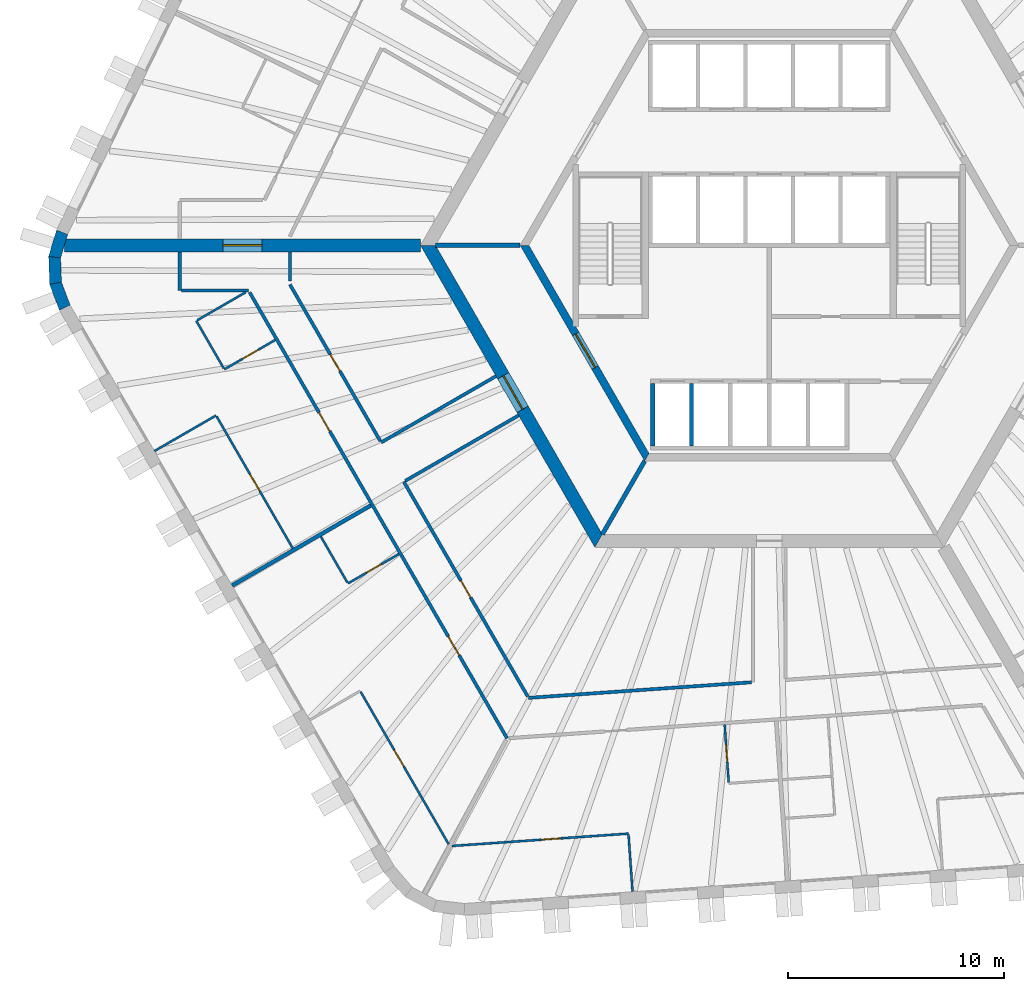
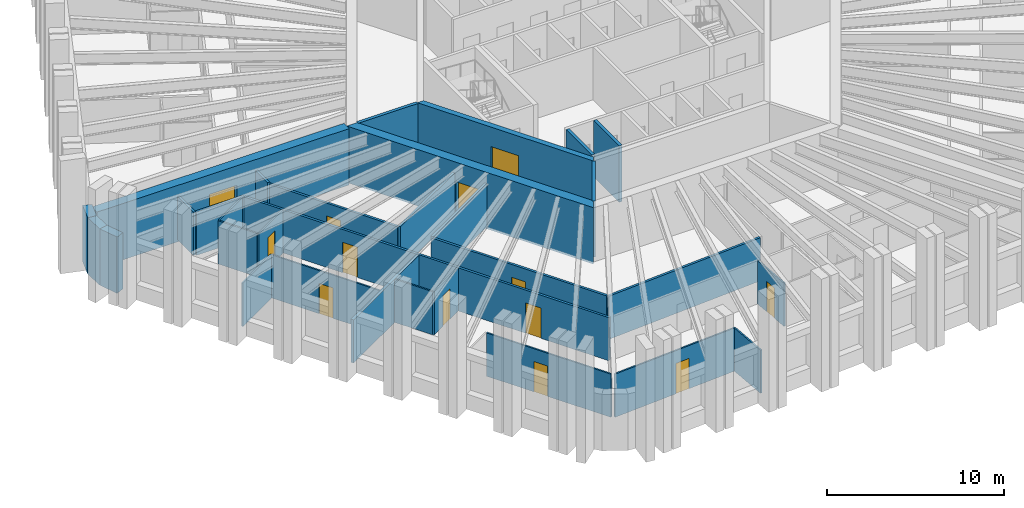
# One storey, part 3 of 12: 31 walls, 13 doors, 13 openings.
"""IFC4 building model written with IfcOpenShell, lengths in metres."""

from ifc_helpers import new_model, si_unit, direction, frame, frame_2d, origin, place, context, subcontext, project, spatial, polyline, rectangle, outline, extrude, material, layer, layer_set, type_object, element, fill, save


model = new_model("IFC4")

# Units and contexts
model_context = context("Model", 3, precision=1e-05, world=origin(), true_north=direction((0.0, 1.0)))
body_context = subcontext(model_context, "Body", "Model", "MODEL_VIEW")
ifc_project = project(units=[si_unit("LENGTHUNIT", "METRE"), si_unit("AREAUNIT", "SQUARE_METRE"), si_unit("VOLUMEUNIT", "CUBIC_METRE"), si_unit("PLANEANGLEUNIT", "RADIAN"), si_unit("MASSUNIT", "GRAM", prefix="KILO")], contexts=[model_context])

# Site, building, storey
site_placement = place(None, origin())
site = spatial("IfcSite", under=ifc_project, at=site_placement, CompositionType="ELEMENT")
building_placement = place(site_placement, origin())
building = spatial("IfcBuilding", under=site, at=building_placement, Name="Tarnside Tower", CompositionType="ELEMENT")
storey_placement = place(building_placement, frame((0.0, 0.0, 60.89990234375)))
storey = spatial("IfcBuildingStorey", under=building, at=storey_placement, Name="L12", CompositionType="ELEMENT", Elevation=60.89990234375)

# Wall, opening, door
ifc_material_1 = material(Name="Gypsum board partition on steel studs", Category="steel")
ifc_layer_1 = layer(ifc_material_1, 0.10009765625)
ifc_layer_set_1 = layer_set([ifc_layer_1], Name="Bathroom wall 100")
wall_type_1 = type_object("IfcWallType", Name="Bathroom wall 100", PredefinedType="PARTITIONING", material=ifc_layer_set_1)
wall_1_placement = place(storey_placement, frame((-22.898193359375, -4.38916015625, 0.0), z_axis=(0.0, 0.0, 1.0), x_axis=(-0.866012511928, -0.500022328685, 0.0)))
wall_1 = element("IfcWall", 1, at=wall_1_placement, inside=storey, type_object=wall_type_1, Name="Bathroom wall 03097", PredefinedType="PARTITIONING", context=body_context, shape_type="SweptSolid", body=[
    extrude(rectangle(XDim=2.72509765625, YDim=0.10009765625, at=frame_2d((1.362548828125, 0.0))), origin(), (0.0, 0.0, 1.0), 2.98779296875),
])
opening_1_placement = place(wall_1_placement, frame((0.925048828125, 0.0, 0.0)))
opening_1 = element("IfcOpeningElement", 2, at=opening_1_placement, cuts=wall_1, Name="Opening D-B1", PredefinedType="OPENING", context=body_context, shape_type="SweptSolid", body=[
    extrude(rectangle(XDim=0.800048828125, YDim=2.10009765625, at=frame_2d((0.39990234375, 1.050048828125))), frame((0.0, 0.06005859375, 0.0), z_axis=(0.0, -1.0, 0.0), x_axis=(1.0, 0.0, 0.0)), (0.0, 0.0, 1.0), 0.1201171875),
])
ifc_material_2 = material(Name="Timber door leaf", Category="wood")
door_type_1 = type_object("IfcDoorType", Name="Bathroom door 800", OperationType="NOTDEFINED", PredefinedType="DOOR", material=ifc_material_2)
door_1_placement = place(opening_1_placement, origin())
door_1 = element("IfcDoor", 3, at=door_1_placement, inside=storey, type_object=door_type_1, Name="Bathroom door 03014", OperationType="SINGLE_SWING_RIGHT", OverallHeight=2.10009765625, OverallWidth=0.800048828125, PredefinedType="DOOR", context=body_context, shape_type="SweptSolid", body=[
    extrude(rectangle(XDim=0.800048828125, YDim=2.10009765625, at=frame_2d((0.39990234375, 1.050048828125))), frame((0.0, 0.02490234375, 0.0), z_axis=(0.0, -1.0, 0.0), x_axis=(1.0, 0.0, 0.0)), (0.0, 0.0, 1.0), 0.050048828125),
])
fill(opening_1, door_1)

# Walls
wall_2_placement = place(storey_placement, frame((-25.283203125, -5.708251953125, 0.0), z_axis=(0.0, 0.0, 1.0), x_axis=(-0.499990435942, 0.866030925526, 0.0)))
element("IfcWall", 4, at=wall_2_placement, inside=storey, type_object=wall_type_1, Name="Bathroom wall 03098", PredefinedType="PARTITIONING", context=body_context, shape_type="SweptSolid", body=[
    extrude(rectangle(XDim=2.5498046875, YDim=0.10009765625, at=frame_2d((1.27490234375, 0.0))), origin(), (0.0, 0.0, 1.0), 2.98779296875),
])
wall_3_placement = place(storey_placement, frame((-26.514892578125, -3.47509765625, 0.0), z_axis=(0.0, 0.0, 1.0), x_axis=(0.866021400173, 0.500006934395, 0.0)))
element("IfcWall", 5, at=wall_3_placement, inside=storey, type_object=wall_type_1, Name="Bathroom wall 03099", PredefinedType="PARTITIONING", context=body_context, shape_type="SweptSolid", body=[
    extrude(rectangle(XDim=2.60009765625, YDim=0.10009765625, at=frame_2d((1.300048828125, 0.0))), origin(), (0.0, 0.0, 1.0), 2.98779296875),
])

# Wall, opening, door
wall_4_placement = place(storey_placement, frame((-17.168701171875, -14.31298828125, 0.0), z_axis=(0.0, 0.0, 1.0), x_axis=(-0.866012511928, -0.500022328685, 0.0)))
wall_4 = element("IfcWall", 6, at=wall_4_placement, inside=storey, type_object=wall_type_1, Name="Bathroom wall 03105", PredefinedType="PARTITIONING", context=body_context, shape_type="SweptSolid", body=[
    extrude(rectangle(XDim=2.72509765625, YDim=0.10009765625, at=frame_2d((1.362548828125, 0.0))), origin(), (0.0, 0.0, 1.0), 2.98779296875),
])
opening_2_placement = place(wall_4_placement, frame((0.925048828125, 0.0, 0.0)))
opening_2 = element("IfcOpeningElement", 7, at=opening_2_placement, cuts=wall_4, Name="Opening D-B1", PredefinedType="OPENING", context=body_context, shape_type="SweptSolid", body=[
    extrude(rectangle(XDim=0.800048828125, YDim=2.10009765625, at=frame_2d((0.39990234375, 1.050048828125))), frame((0.0, 0.06005859375, 0.0), z_axis=(0.0, -1.0, 0.0), x_axis=(1.0, 0.0, 0.0)), (0.0, 0.0, 1.0), 0.1201171875),
])
door_2_placement = place(opening_2_placement, origin())
door_2 = element("IfcDoor", 8, at=door_2_placement, inside=storey, type_object=door_type_1, Name="Bathroom door 03017", OperationType="SINGLE_SWING_RIGHT", OverallHeight=2.10009765625, OverallWidth=0.800048828125, PredefinedType="DOOR", context=body_context, shape_type="SweptSolid", body=[
    extrude(rectangle(XDim=0.800048828125, YDim=2.10009765625, at=frame_2d((0.39990234375, 1.050048828125))), frame((0.0, 0.02490234375, 0.0), z_axis=(0.0, -1.0, 0.0), x_axis=(1.0, 0.0, 0.0)), (0.0, 0.0, 1.0), 0.050048828125),
])
fill(opening_2, door_2)

# Wall
wall_5_placement = place(storey_placement, frame((-19.5537109375, -15.632080078125, 0.0), z_axis=(0.0, 0.0, 1.0), x_axis=(-0.500003092839, 0.866023618125, 0.0)))
element("IfcWall", 9, at=wall_5_placement, inside=storey, type_object=wall_type_1, Name="Bathroom wall 03106", PredefinedType="PARTITIONING", context=body_context, shape_type="SweptSolid", body=[
    extrude(rectangle(XDim=2.4599609375, YDim=0.10009765625, at=frame_2d((1.22998046875, 0.0))), origin(), (0.0, 0.0, 1.0), 2.98779296875),
])

# Wall, opening, door
wall_6_placement = place(storey_placement, frame((-1.87939453125, -24.891845703125, 0.0), z_axis=(0.0, 0.0, 1.0), x_axis=(-0.069722873391, 0.997566399257, 0.0)))
wall_6 = element("IfcWall", 10, at=wall_6_placement, inside=storey, type_object=wall_type_1, Name="Bathroom wall 03112", PredefinedType="PARTITIONING", context=body_context, shape_type="SweptSolid", body=[
    extrude(rectangle(XDim=2.67529296875, YDim=0.10009765625, at=frame_2d((1.337646484375, 0.0))), origin(), (0.0, 0.0, 1.0), 2.98779296875),
])
opening_3_placement = place(wall_6_placement, frame((0.949951171875, 0.0, 0.0)))
opening_3 = element("IfcOpeningElement", 11, at=opening_3_placement, cuts=wall_6, Name="Opening D-B1", PredefinedType="OPENING", context=body_context, shape_type="SweptSolid", body=[
    extrude(rectangle(XDim=0.800048828125, YDim=2.10009765625, at=frame_2d((0.39990234375, 1.050048828125))), frame((0.0, 0.06005859375, 0.0), z_axis=(0.0, -1.0, 0.0), x_axis=(1.0, 0.0, 0.0)), (0.0, 0.0, 1.0), 0.1201171875),
])
door_3_placement = place(opening_3_placement, origin())
door_3 = element("IfcDoor", 12, at=door_3_placement, inside=storey, type_object=door_type_1, Name="Bathroom door 03020", OperationType="SINGLE_SWING_RIGHT", OverallHeight=2.10009765625, OverallWidth=0.800048828125, PredefinedType="DOOR", context=body_context, shape_type="SweptSolid", body=[
    extrude(rectangle(XDim=0.800048828125, YDim=2.10009765625, at=frame_2d((0.39990234375, 1.050048828125))), frame((0.0, 0.02490234375, 0.0), z_axis=(0.0, -1.0, 0.0), x_axis=(1.0, 0.0, 0.0)), (0.0, 0.0, 1.0), 0.050048828125),
])
fill(opening_3, door_3)

ifc_material_3 = material(Name="Concrete C50/60", Category="concrete")
ifc_layer_2 = layer(ifc_material_3, 0.35009765625)
ifc_layer_set_2 = layer_set([ifc_layer_2], Name="Core block wall 350 C50/60")
wall_type_2 = type_object("IfcWallType", Name="Core block wall 350 C50/60", PredefinedType="SHEAR", material=ifc_layer_set_2)
wall_7_placement = place(storey_placement, frame((-11.344970703125, 0.0, -0.14990234375), z_axis=(0.0, 0.0, 1.0), x_axis=(0.499995046907, -0.866028263435, 0.0)))
wall_7 = element("IfcWall", 13, at=wall_7_placement, inside=storey, type_object=wall_type_2, Name="L12 core block wall face 3", PredefinedType="SHEAR", context=body_context, shape_type="SweptSolid", body=[
    extrude(outline(polyline([(-0.10107421875, -0.175048828125), (11.44580078125, -0.175048828125), (11.24365234375, 0.175048828125), (0.10107421875, 0.175048828125), (-0.10107421875, -0.175048828125)])), origin(), (0.0, 0.0, 1.0), 3.89990234375),
])
opening_4_placement = place(wall_7_placement, frame((4.74365234375, 0.0, 0.14990234375)))
opening_4 = element("IfcOpeningElement", 14, at=opening_4_placement, cuts=wall_7, Name="Opening CD-FFL", PredefinedType="OPENING", context=body_context, shape_type="SweptSolid", body=[
    extrude(rectangle(XDim=1.800048828125, YDim=2.39990234375, at=frame_2d((0.89990234375, 1.199951171875))), frame((0.0, 0.18505859375, 0.0), z_axis=(0.0, -1.0, 0.0), x_axis=(1.0, 0.0, 0.0)), (0.0, 0.0, 1.0), 0.3701171875),
])
ifc_material_4 = material(Name="Steel fire door", Category="steel")
door_type_2 = type_object("IfcDoorType", Name="Firefighting lobby double door FD60S 1800x2400", OperationType="NOTDEFINED", PredefinedType="DOOR", material=ifc_material_4)
door_4_placement = place(opening_4_placement, origin())
door_4 = element("IfcDoor", 15, at=door_4_placement, inside=storey, type_object=door_type_2, Name="L12 lobby block door P3", OperationType="DOUBLE_DOOR_SINGLE_SWING", OverallHeight=2.39990234375, OverallWidth=1.800048828125, PredefinedType="DOOR", context=body_context, shape_type="SweptSolid", body=[
    extrude(rectangle(XDim=1.800048828125, YDim=2.39990234375, at=frame_2d((0.89990234375, 1.199951171875))), frame((0.0, 0.02490234375, 0.0), z_axis=(0.0, -1.0, 0.0), x_axis=(1.0, 0.0, 0.0)), (0.0, 0.0, 1.0), 0.050048828125),
])
fill(opening_4, door_4)

ifc_material_5 = material(Name="Concrete C80/95", Category="concrete")
ifc_layer_3 = layer(ifc_material_5, 0.60009765625)
ifc_layer_set_3 = layer_set([ifc_layer_3], Name="Core wall Z1 600 C80/95")
wall_type_3 = type_object("IfcWallType", Name="Core wall Z1 600 C80/95", PredefinedType="SHEAR", material=ifc_layer_set_3)
wall_8_placement = place(storey_placement, frame((-15.8193359375, 0.0, -0.14990234375), z_axis=(0.0, 0.0, 1.0), x_axis=(0.499999880136, -0.866025472988, 0.0)))
wall_8 = element("IfcWall", 16, at=wall_8_placement, inside=storey, type_object=wall_type_3, Name="L12 core wall face 3", PredefinedType="SHEAR", context=body_context, shape_type="SweptSolid", body=[
    extrude(outline(polyline([(-0.17333984375, -0.300048828125), (15.99267578125, -0.300048828125), (15.64599609375, 0.300048828125), (0.17333984375, 0.300048828125), (-0.17333984375, -0.300048828125)])), origin(), (0.0, 0.0, 1.0), 3.89990234375),
])
opening_5_placement = place(wall_8_placement, frame((6.980712890625, 0.0, 0.14990234375)))
opening_5 = element("IfcOpeningElement", 17, at=opening_5_placement, cuts=wall_8, Name="Opening CD-FFL", PredefinedType="OPENING", context=body_context, shape_type="SweptSolid", body=[
    extrude(rectangle(XDim=1.800048828125, YDim=2.39990234375, at=frame_2d((0.89990234375, 1.199951171875))), frame((0.0, 0.31005859375, 0.0), z_axis=(0.0, -1.0, 0.0), x_axis=(1.0, 0.0, 0.0)), (0.0, 0.0, 1.0), 0.6201171875),
])
door_5_placement = place(opening_5_placement, origin())
door_5 = element("IfcDoor", 18, at=door_5_placement, inside=storey, type_object=door_type_2, Name="L12 core door P3", OperationType="DOUBLE_DOOR_SINGLE_SWING", OverallHeight=2.39990234375, OverallWidth=1.800048828125, PredefinedType="DOOR", context=body_context, shape_type="SweptSolid", body=[
    extrude(rectangle(XDim=1.800048828125, YDim=2.39990234375, at=frame_2d((0.89990234375, 1.199951171875))), frame((0.0, 0.02490234375, 0.0), z_axis=(0.0, -1.0, 0.0), x_axis=(1.0, 0.0, 0.0)), (0.0, 0.0, 1.0), 0.050048828125),
])
fill(opening_5, door_5)

wall_9_placement = place(storey_placement, frame((-16.165771484375, 0.0, -0.14990234375), z_axis=(0.0, 0.0, 1.0), x_axis=(-1.0, 0.0, 0.0)))
wall_9 = element("IfcWall", 19, at=wall_9_placement, inside=storey, type_object=wall_type_3, Name="L12 spine wall 2", PredefinedType="SHEAR", context=body_context, shape_type="SweptSolid", body=[
    extrude(rectangle(XDim=16.509033203125, YDim=0.60009765625, at=frame_2d((8.25439453125, 0.0))), origin(), (0.0, 0.0, 1.0), 3.89990234375),
])
opening_6_placement = place(wall_9_placement, frame((7.3544921875, 0.0, 0.14990234375)))
opening_6 = element("IfcOpeningElement", 20, at=opening_6_placement, cuts=wall_9, Name="Opening CD-SPN", PredefinedType="OPENING", context=body_context, shape_type="SweptSolid", body=[
    extrude(rectangle(XDim=1.800048828125, YDim=2.39990234375, at=frame_2d((0.89990234375, 1.199951171875))), frame((0.0, 0.31005859375, 0.0), z_axis=(0.0, -1.0, 0.0), x_axis=(1.0, 0.0, 0.0)), (0.0, 0.0, 1.0), 0.6201171875),
])
door_type_3 = type_object("IfcDoorType", Name="Spine passage double door FD60 1800x2400", OperationType="NOTDEFINED", PredefinedType="DOOR", material=ifc_material_4)
door_6_placement = place(opening_6_placement, origin())
door_6 = element("IfcDoor", 21, at=door_6_placement, inside=storey, type_object=door_type_3, Name="L12 spine passage door 2", OperationType="DOUBLE_DOOR_SINGLE_SWING", OverallHeight=2.39990234375, OverallWidth=1.800048828125, PredefinedType="DOOR", context=body_context, shape_type="SweptSolid", body=[
    extrude(rectangle(XDim=1.800048828125, YDim=2.39990234375, at=frame_2d((0.89990234375, 1.199951171875))), frame((0.0, 0.02490234375, 0.0), z_axis=(0.0, -1.0, 0.0), x_axis=(1.0, 0.0, 0.0)), (0.0, 0.0, 1.0), 0.050048828125),
])
fill(opening_6, door_6)

# Walls
ifc_layer_4 = layer(ifc_material_1, 0.14990234375)
ifc_layer_set_4 = layer_set([ifc_layer_4], Name="Corridor wall 150 EI 60")
wall_type_4 = type_object("IfcWallType", Name="Corridor wall 150 EI 60", PredefinedType="PARTITIONING", material=ifc_layer_set_4)
wall_10_placement = place(storey_placement, frame((-27.3203125, -0.300048828125, 0.0), z_axis=(0.0, 0.0, 1.0), x_axis=(0.0, -1.0, 0.0)))
element("IfcWall", 22, at=wall_10_placement, inside=storey, type_object=wall_type_4, Name="Corridor wall 03026", PredefinedType="PARTITIONING", context=body_context, shape_type="SweptSolid", body=[
    extrude(rectangle(XDim=1.800048828125, YDim=0.14990234375, at=frame_2d((0.89990234375, 0.0))), origin(), (0.0, 0.0, 1.0), 2.98779296875),
])
wall_11_placement = place(storey_placement, frame((-27.245361328125, -2.10009765625, 0.0), z_axis=(0.0, 0.0, 1.0), x_axis=(1.0, 0.0, 0.0)))
element("IfcWall", 23, at=wall_11_placement, inside=storey, type_object=wall_type_4, Name="Corridor wall 03027", PredefinedType="PARTITIONING", context=body_context, shape_type="SweptSolid", body=[
    extrude(rectangle(XDim=3.112060546875, YDim=0.14990234375, at=frame_2d((1.55615234375, 0.0))), origin(), (0.0, 0.0, 1.0), 2.98779296875),
])

# Wall, openings, doors
wall_12_placement = place(storey_placement, frame((-24.08984375, -2.175048828125, 0.0), z_axis=(0.0, 0.0, 1.0), x_axis=(0.499996832073, -0.86602723278, 0.0)))
wall_12 = element("IfcWall", 24, at=wall_12_placement, inside=storey, type_object=wall_type_4, Name="Corridor wall 03028", PredefinedType="PARTITIONING", context=body_context, shape_type="SweptSolid", body=[
    extrude(rectangle(XDim=23.877197265625, YDim=0.14990234375, at=frame_2d((11.9384765625, 0.0))), origin(), (0.0, 0.0, 1.0), 2.98779296875),
])
opening_7_placement = place(wall_12_placement, frame((6.44287109375, 0.0, 0.0)))
opening_7 = element("IfcOpeningElement", 25, at=opening_7_placement, cuts=wall_12, Name="Opening D-E1", PredefinedType="OPENING", context=body_context, shape_type="SweptSolid", body=[
    extrude(rectangle(XDim=1.0, YDim=2.10009765625, at=frame_2d((0.5, 1.050048828125))), frame((0.0, 0.0849609375, 0.0), z_axis=(0.0, -1.0, 0.0), x_axis=(1.0, 0.0, 0.0)), (0.0, 0.0, 1.0), 0.169921875),
])
opening_8_placement = place(wall_12_placement, frame((18.4248046875, 0.0, 0.0)))
opening_8 = element("IfcOpeningElement", 26, at=opening_8_placement, cuts=wall_12, Name="Opening D-E1", PredefinedType="OPENING", context=body_context, shape_type="SweptSolid", body=[
    extrude(rectangle(XDim=1.0, YDim=2.10009765625, at=frame_2d((0.5, 1.050048828125))), frame((0.0, 0.0849609375, 0.0), z_axis=(0.0, -1.0, 0.0), x_axis=(1.0, 0.0, 0.0)), (0.0, 0.0, 1.0), 0.169921875),
])
door_type_4 = type_object("IfcDoorType", Name="Unit entrance door 1000 FD30S", OperationType="NOTDEFINED", PredefinedType="DOOR", material=ifc_material_2)
door_7_placement = place(opening_7_placement, origin())
door_7 = element("IfcDoor", 27, at=door_7_placement, inside=storey, type_object=door_type_4, Name="Unit door 03013", OperationType="SINGLE_SWING_LEFT", OverallHeight=2.10009765625, OverallWidth=1.0, PredefinedType="DOOR", context=body_context, shape_type="SweptSolid", body=[
    extrude(rectangle(XDim=1.0, YDim=2.10009765625, at=frame_2d((0.5, 1.050048828125))), frame((0.0, 0.02490234375, 0.0), z_axis=(0.0, -1.0, 0.0), x_axis=(1.0, 0.0, 0.0)), (0.0, 0.0, 1.0), 0.050048828125),
])
fill(opening_7, door_7)
door_8_placement = place(opening_8_placement, origin())
door_8 = element("IfcDoor", 28, at=door_8_placement, inside=storey, type_object=door_type_4, Name="Unit door 03016", OperationType="SINGLE_SWING_LEFT", OverallHeight=2.10009765625, OverallWidth=1.0, PredefinedType="DOOR", context=body_context, shape_type="SweptSolid", body=[
    extrude(rectangle(XDim=1.0, YDim=2.10009765625, at=frame_2d((0.5, 1.050048828125))), frame((0.0, 0.02490234375, 0.0), z_axis=(0.0, -1.0, 0.0), x_axis=(1.0, 0.0, 0.0)), (0.0, 0.0, 1.0), 0.050048828125),
])
fill(opening_8, door_8)

# Wall
wall_13_placement = place(storey_placement, frame((-12.663818359375, -6.065673828125, 0.0), z_axis=(0.0, 0.0, 1.0), x_axis=(-0.866023618125, -0.500003092839, 0.0)))
element("IfcWall", 29, at=wall_13_placement, inside=storey, type_object=wall_type_4, Name="Corridor wall 03038", PredefinedType="PARTITIONING", context=body_context, shape_type="SweptSolid", body=[
    extrude(rectangle(XDim=6.14990234375, YDim=0.14990234375, at=frame_2d((3.074951171875, 0.0))), origin(), (0.0, 0.0, 1.0), 2.98779296875),
])

# Wall, opening, door
wall_14_placement = place(storey_placement, frame((-18.02734375, -9.07568359375, 0.0), z_axis=(0.0, 0.0, 1.0), x_axis=(-0.500007318041, 0.86602117867, 0.0)))
wall_14 = element("IfcWall", 30, at=wall_14_placement, inside=storey, type_object=wall_type_4, Name="Corridor wall 03039", PredefinedType="PARTITIONING", context=body_context, shape_type="SweptSolid", body=[
    extrude(rectangle(XDim=8.383056640625, YDim=0.14990234375, at=frame_2d((4.19140625, 0.0))), origin(), (0.0, 0.0, 1.0), 2.98779296875),
])
opening_9_placement = place(wall_14_placement, frame((3.74169921875, 0.0, 0.0)))
opening_9 = element("IfcOpeningElement", 31, at=opening_9_placement, cuts=wall_14, Name="Opening D-S1", PredefinedType="OPENING", context=body_context, shape_type="SweptSolid", body=[
    extrude(rectangle(XDim=0.89990234375, YDim=2.10009765625, at=frame_2d((0.449951171875, 1.050048828125))), frame((0.0, 0.0849609375, 0.0), z_axis=(0.0, -1.0, 0.0), x_axis=(1.0, 0.0, 0.0)), (0.0, 0.0, 1.0), 0.169921875),
])
door_type_5 = type_object("IfcDoorType", Name="Service room door 900 FD30S", OperationType="NOTDEFINED", PredefinedType="DOOR", material=ifc_material_2)
door_9_placement = place(opening_9_placement, origin())
door_9 = element("IfcDoor", 32, at=door_9_placement, inside=storey, type_object=door_type_5, Name="Service door 03042", OperationType="SINGLE_SWING_RIGHT", OverallHeight=2.10009765625, OverallWidth=0.89990234375, PredefinedType="DOOR", context=body_context, shape_type="SweptSolid", body=[
    extrude(rectangle(XDim=0.89990234375, YDim=2.10009765625, at=frame_2d((0.449951171875, 1.050048828125))), frame((0.0, 0.02490234375, 0.0), z_axis=(0.0, -1.0, 0.0), x_axis=(1.0, 0.0, 0.0)), (0.0, 0.0, 1.0), 0.050048828125),
])
fill(opening_9, door_9)

# Walls
wall_15_placement = place(storey_placement, frame((-22.218994140625, -1.665771484375, 0.0), z_axis=(0.0, 0.0, 1.0), x_axis=(0.0, 1.0, 0.0)))
element("IfcWall", 33, at=wall_15_placement, inside=storey, type_object=wall_type_4, Name="Corridor wall 03040", PredefinedType="PARTITIONING", context=body_context, shape_type="SweptSolid", body=[
    extrude(rectangle(XDim=1.36572265625, YDim=0.14990234375, at=frame_2d((0.682861328125, 0.0))), origin(), (0.0, 0.0, 1.0), 2.98779296875),
])
wall_16_placement = place(storey_placement, frame((-0.824951171875, -20.2568359375, 0.0), z_axis=(0.0, 0.0, 1.0), x_axis=(-0.9975635143, -0.069764137903, 0.0)))
element("IfcWall", 34, at=wall_16_placement, inside=storey, type_object=wall_type_4, Name="Corridor wall 03042", PredefinedType="PARTITIONING", context=body_context, shape_type="SweptSolid", body=[
    extrude(rectangle(XDim=10.35498046875, YDim=0.14990234375, at=frame_2d((5.177490234375, 0.0))), origin(), (0.0, 0.0, 1.0), 2.98779296875),
])

# Wall, opening, door
wall_17_placement = place(storey_placement, frame((-11.196533203125, -20.906982421875, 0.0), z_axis=(0.0, 0.0, 1.0), x_axis=(-0.500004557924, 0.86602277225, 0.0)))
wall_17 = element("IfcWall", 35, at=wall_17_placement, inside=storey, type_object=wall_type_4, Name="Corridor wall 03043", PredefinedType="PARTITIONING", context=body_context, shape_type="SweptSolid", body=[
    extrude(rectangle(XDim=11.48681640625, YDim=0.14990234375, at=frame_2d((5.743408203125, 0.0))), origin(), (0.0, 0.0, 1.0), 2.98779296875),
])
opening_10_placement = place(wall_17_placement, frame((5.293212890625, 0.0, 0.0)))
opening_10 = element("IfcOpeningElement", 36, at=opening_10_placement, cuts=wall_17, Name="Opening D-S1", PredefinedType="OPENING", context=body_context, shape_type="SweptSolid", body=[
    extrude(rectangle(XDim=0.89990234375, YDim=2.10009765625, at=frame_2d((0.449951171875, 1.050048828125))), frame((0.0, 0.0849609375, 0.0), z_axis=(0.0, -1.0, 0.0), x_axis=(1.0, 0.0, 0.0)), (0.0, 0.0, 1.0), 0.169921875),
])
door_10_placement = place(opening_10_placement, origin())
door_10 = element("IfcDoor", 37, at=door_10_placement, inside=storey, type_object=door_type_5, Name="Service door 03043", OperationType="SINGLE_SWING_RIGHT", OverallHeight=2.10009765625, OverallWidth=0.89990234375, PredefinedType="DOOR", context=body_context, shape_type="SweptSolid", body=[
    extrude(rectangle(XDim=0.89990234375, YDim=2.10009765625, at=frame_2d((0.449951171875, 1.050048828125))), frame((0.0, 0.02490234375, 0.0), z_axis=(0.0, -1.0, 0.0), x_axis=(1.0, 0.0, 0.0)), (0.0, 0.0, 1.0), 0.050048828125),
])
fill(opening_10, door_10)

# Walls
wall_18_placement = place(storey_placement, frame((-16.875, -10.921875, 0.0), z_axis=(0.0, 0.0, 1.0), x_axis=(0.866023634079, 0.500003065207, 0.0)))
element("IfcWall", 38, at=wall_18_placement, inside=storey, type_object=wall_type_4, Name="Corridor wall 03044", PredefinedType="PARTITIONING", context=body_context, shape_type="SweptSolid", body=[
    extrude(rectangle(XDim=6.0751953125, YDim=0.14990234375, at=frame_2d((3.03759765625, 0.0))), origin(), (0.0, 0.0, 1.0), 2.98779296875),
])
ifc_layer_5 = layer(ifc_material_1, 0.179931640625)
ifc_layer_set_5 = layer_set([ifc_layer_5], Name="Demising wall 180 EI 60")
wall_type_5 = type_object("IfcWallType", Name="Demising wall 180 EI 60", PredefinedType="PARTITIONING", material=ifc_layer_set_5)
wall_19_placement = place(storey_placement, frame((-24.89892578125, -15.773681640625, 0.0), z_axis=(0.0, 0.0, 1.0), x_axis=(0.866028983062, 0.499993800457, 0.0)))
element("IfcWall", 39, at=wall_19_placement, inside=storey, type_object=wall_type_5, Name="Demising wall 03102", PredefinedType="PARTITIONING", context=body_context, shape_type="SweptSolid", body=[
    extrude(rectangle(XDim=7.4248046875, YDim=0.179931640625, at=frame_2d((3.71240234375, 0.0))), origin(), (0.0, 0.0, 1.0), 2.98779296875),
])
ifc_material_6 = material(Name="Concrete C40/50", Category="concrete")
ifc_layer_6 = layer(ifc_material_6, 0.199951171875)
ifc_layer_set_6 = layer_set([ifc_layer_6], Name="Lift shaft wall 200 C40/50")
wall_type_6 = type_object("IfcWallType", Name="Lift shaft wall 200 C40/50", PredefinedType="SHEAR", material=ifc_layer_set_6)
for number, where, z_axis, x_axis, name in (
    (40, (-5.39990234375, -9.300048828125, -0.25), (0.0, 0.0, 1.0), (0.0, 1.0, 0.0), "L12 lift shaft partition R41"),
    (41, (-3.60009765625, -9.300048828125, -0.25), (0.0, 0.0, 1.0), (0.0, 1.0, 0.0), "L12 lift shaft partition R42"),
):
    element("IfcWall", number, at=place(storey_placement, frame(where, z_axis=z_axis, x_axis=x_axis)), inside=storey, type_object=wall_type_6, Name=name, PredefinedType="SHEAR", context=body_context, shape_type="SweptSolid", body=[
        extrude(rectangle(XDim=2.900146484375, YDim=0.199951171875, at=frame_2d((1.4501953125, 0.0))), origin(), (0.0, 0.0, 1.0), 3.900146484375),
    ])
wall_20_placement = place(storey_placement, frame((-11.547119140625, 0.0, -0.14990234375), z_axis=(0.0, 0.0, 1.0), x_axis=(-1.0, 0.0, 0.0)))
element("IfcWall", 42, at=wall_20_placement, inside=storey, type_object=wall_type_6, Name="L12 core partition AR180", PredefinedType="SHEAR", context=body_context, shape_type="SweptSolid", body=[
    extrude(rectangle(XDim=3.92578125, YDim=0.199951171875, at=frame_2d((1.962890625, 0.0))), origin(), (0.0, 0.0, 1.0), 3.89990234375),
])
wall_21_placement = place(storey_placement, frame((-5.7734375, -10.0, -0.14990234375), z_axis=(0.0, 0.0, 1.0), x_axis=(-0.500038251005, -0.86600331843, 0.0)))
element("IfcWall", 43, at=wall_21_placement, inside=storey, type_object=wall_type_6, Name="L12 core partition AR240", PredefinedType="SHEAR", context=body_context, shape_type="SweptSolid", body=[
    extrude(rectangle(XDim=3.926025390625, YDim=0.199951171875, at=frame_2d((1.962890625, 0.0))), origin(), (0.0, 0.0, 1.0), 3.89990234375),
])
ifc_layer_7 = layer(ifc_material_1, 0.10009765625)
ifc_layer_set_7 = layer_set([ifc_layer_7], Name="Partition 100")
wall_type_7 = type_object("IfcWallType", Name="Partition 100", PredefinedType="PARTITIONING", material=ifc_layer_set_7)
wall_22_placement = place(storey_placement, frame((-28.4990234375, -9.538330078125, 0.0), z_axis=(0.0, 0.0, 1.0), x_axis=(0.866040211805, 0.499974350878, 0.0)))
element("IfcWall", 44, at=wall_22_placement, inside=storey, type_object=wall_type_7, Name="Partition wall 03100", PredefinedType="PARTITIONING", context=body_context, shape_type="SweptSolid", body=[
    extrude(rectangle(XDim=3.300048828125, YDim=0.10009765625, at=frame_2d((1.64990234375, 0.0))), origin(), (0.0, 0.0, 1.0), 2.98779296875),
])

# Wall, opening, door
wall_23_placement = place(storey_placement, frame((-25.615966796875, -7.931640625, 0.0), z_axis=(0.0, 0.0, 1.0), x_axis=(0.499995846692, -0.866027801685, 0.0)))
wall_23 = element("IfcWall", 45, at=wall_23_placement, inside=storey, type_object=wall_type_7, Name="Partition wall 03101", PredefinedType="PARTITIONING", context=body_context, shape_type="SweptSolid", body=[
    extrude(rectangle(XDim=7.06005859375, YDim=0.10009765625, at=frame_2d((3.530029296875, 0.0))), origin(), (0.0, 0.0, 1.0), 2.98779296875),
])
opening_11_placement = place(wall_23_placement, frame((3.10009765625, 0.0, 0.0)))
opening_11 = element("IfcOpeningElement", 46, at=opening_11_placement, cuts=wall_23, Name="Opening D-I1", PredefinedType="OPENING", context=body_context, shape_type="SweptSolid", body=[
    extrude(rectangle(XDim=0.89990234375, YDim=2.10009765625, at=frame_2d((0.449951171875, 1.050048828125))), frame((0.0, 0.06005859375, 0.0), z_axis=(0.0, -1.0, 0.0), x_axis=(1.0, 0.0, 0.0)), (0.0, 0.0, 1.0), 0.1201171875),
])
door_type_6 = type_object("IfcDoorType", Name="Internal door 900", OperationType="NOTDEFINED", PredefinedType="DOOR", material=ifc_material_2)
door_11_placement = place(opening_11_placement, origin())
door_11 = element("IfcDoor", 47, at=door_11_placement, inside=storey, type_object=door_type_6, Name="Internal door 03015", OperationType="SINGLE_SWING_RIGHT", OverallHeight=2.10009765625, OverallWidth=0.89990234375, PredefinedType="DOOR", context=body_context, shape_type="SweptSolid", body=[
    extrude(rectangle(XDim=0.89990234375, YDim=2.10009765625, at=frame_2d((0.449951171875, 1.050048828125))), frame((0.0, 0.02490234375, 0.0), z_axis=(0.0, -1.0, 0.0), x_axis=(1.0, 0.0, 0.0)), (0.0, 0.0, 1.0), 0.050048828125),
])
fill(opening_11, door_11)

wall_24_placement = place(storey_placement, frame((-18.935546875, -20.702392578125, 0.0), z_axis=(0.0, 0.0, 1.0), x_axis=(0.49998354646, -0.866034903032, 0.0)))
wall_24 = element("IfcWall", 48, at=wall_24_placement, inside=storey, type_object=wall_type_7, Name="Partition wall 03108", PredefinedType="PARTITIONING", context=body_context, shape_type="SweptSolid", body=[
    extrude(rectangle(XDim=8.148193359375, YDim=0.10009765625, at=frame_2d((4.07421875, 0.0))), origin(), (0.0, 0.0, 1.0), 2.98779296875),
])
opening_12_placement = place(wall_24_placement, frame((3.10009765625, 0.0, 0.0)))
opening_12 = element("IfcOpeningElement", 49, at=opening_12_placement, cuts=wall_24, Name="Opening D-I1", PredefinedType="OPENING", context=body_context, shape_type="SweptSolid", body=[
    extrude(rectangle(XDim=0.89990234375, YDim=2.10009765625, at=frame_2d((0.449951171875, 1.050048828125))), frame((0.0, 0.06005859375, 0.0), z_axis=(0.0, -1.0, 0.0), x_axis=(1.0, 0.0, 0.0)), (0.0, 0.0, 1.0), 0.1201171875),
])
door_12_placement = place(opening_12_placement, origin())
door_12 = element("IfcDoor", 50, at=door_12_placement, inside=storey, type_object=door_type_6, Name="Internal door 03018", OperationType="SINGLE_SWING_RIGHT", OverallHeight=2.10009765625, OverallWidth=0.89990234375, PredefinedType="DOOR", context=body_context, shape_type="SweptSolid", body=[
    extrude(rectangle(XDim=0.89990234375, YDim=2.10009765625, at=frame_2d((0.449951171875, 1.050048828125))), frame((0.0, 0.02490234375, 0.0), z_axis=(0.0, -1.0, 0.0), x_axis=(1.0, 0.0, 0.0)), (0.0, 0.0, 1.0), 0.050048828125),
])
fill(opening_12, door_12)

wall_25_placement = place(storey_placement, frame((-14.70263671875, -27.843505859375, 0.0), z_axis=(0.0, 0.0, 1.0), x_axis=(0.997562679052, 0.069776080157, 0.0)))
wall_25 = element("IfcWall", 51, at=wall_25_placement, inside=storey, type_object=wall_type_7, Name="Partition wall 03113", PredefinedType="PARTITIONING", context=body_context, shape_type="SweptSolid", body=[
    extrude(rectangle(XDim=8.197998046875, YDim=0.10009765625, at=frame_2d((4.09912109375, 0.0))), origin(), (0.0, 0.0, 1.0), 2.98779296875),
])
opening_13_placement = place(wall_25_placement, frame((4.14794921875, 0.0, 0.0)))
opening_13 = element("IfcOpeningElement", 52, at=opening_13_placement, cuts=wall_25, Name="Opening D-I1", PredefinedType="OPENING", context=body_context, shape_type="SweptSolid", body=[
    extrude(rectangle(XDim=0.89990234375, YDim=2.10009765625, at=frame_2d((0.449951171875, 1.050048828125))), frame((0.0, 0.06005859375, 0.0), z_axis=(0.0, -1.0, 0.0), x_axis=(1.0, 0.0, 0.0)), (0.0, 0.0, 1.0), 0.1201171875),
])
door_13_placement = place(opening_13_placement, origin())
door_13 = element("IfcDoor", 53, at=door_13_placement, inside=storey, type_object=door_type_6, Name="Internal door 03021", OperationType="SINGLE_SWING_LEFT", OverallHeight=2.10009765625, OverallWidth=0.89990234375, PredefinedType="DOOR", context=body_context, shape_type="SweptSolid", body=[
    extrude(rectangle(XDim=0.89990234375, YDim=2.10009765625, at=frame_2d((0.449951171875, 1.050048828125))), frame((0.0, 0.02490234375, 0.0), z_axis=(0.0, -1.0, 0.0), x_axis=(1.0, 0.0, 0.0)), (0.0, 0.0, 1.0), 0.050048828125),
])
fill(opening_13, door_13)

# Walls
wall_26_placement = place(storey_placement, frame((-6.521240234375, -27.321533203125, 0.0), z_axis=(0.0, 0.0, 1.0), x_axis=(0.069832794838, -0.997558710435, 0.0)))
element("IfcWall", 54, at=wall_26_placement, inside=storey, type_object=wall_type_7, Name="Partition wall 03114", PredefinedType="PARTITIONING", context=body_context, shape_type="SweptSolid", body=[
    extrude(rectangle(XDim=2.64990234375, YDim=0.10009765625, at=frame_2d((1.324951171875, 0.0))), origin(), (0.0, 0.0, 1.0), 2.98779296875),
])
ifc_material_7 = material(Name="Facing brick", Category="masonry")
ifc_layer_8 = layer(ifc_material_7, 0.10205078125)
ifc_material_8 = material(Name="Concrete C60/75 precast", Category="concrete")
ifc_layer_9 = layer(ifc_material_8, 0.347900390625)
ifc_material_9 = material(Name="Mineral wool insulation")
ifc_layer_10 = layer(ifc_material_9, 0.10009765625)
ifc_layer_set_8 = layer_set([ifc_layer_8, ifc_layer_9, ifc_layer_10], Name="Tube wall 550 brick faced")
wall_type_8 = type_object("IfcWallType", Name="Tube wall 550 brick faced", PredefinedType="SOLIDWALL", material=ifc_layer_set_8)
wall_27_placement = place(storey_placement, frame((-32.77685546875, 0.605224609375, -0.14990234375), z_axis=(0.0, 0.0, 1.0), x_axis=(-0.286921497463, -0.957954098219, 0.0)))
element("IfcWall", 55, at=wall_27_placement, inside=storey, type_object=wall_type_8, Name="Tube wall L12 F2 chord 05", PredefinedType="SOLIDWALL", context=body_context, shape_type="SweptSolid", body=[
    extrude(outline(polyline([(-0.0224609375, -0.27490234375), (1.25341796875, -0.27490234375), (1.1630859375, 0.27490234375), (0.0224609375, 0.27490234375), (-0.0224609375, -0.27490234375)])), origin(), (0.0, 0.0, 1.0), 3.89990234375),
])
wall_28_placement = place(storey_placement, frame((-33.12353515625, -0.55224609375, -0.14990234375), z_axis=(0.0, 0.0, 1.0), x_axis=(0.03495638276, -0.999388838893, 0.0)))
element("IfcWall", 56, at=wall_28_placement, inside=storey, type_object=wall_type_8, Name="Tube wall L12 F2 chord 06", PredefinedType="SOLIDWALL", context=body_context, shape_type="SweptSolid", body=[
    extrude(outline(polyline([(-0.045166015625, -0.27490234375), (1.25341796875, -0.27490234375), (1.1630859375, 0.27490234375), (0.045166015625, 0.27490234375), (-0.045166015625, -0.27490234375)])), origin(), (0.0, 0.0, 1.0), 3.89990234375),
])
wall_29_placement = place(storey_placement, frame((-33.081298828125, -1.759765625, -0.14990234375), z_axis=(0.0, 0.0, 1.0), x_axis=(0.353027214741, -0.935613053378, 0.0)))
element("IfcWall", 57, at=wall_29_placement, inside=storey, type_object=wall_type_8, Name="Tube wall L12 F2 chord 07", PredefinedType="SOLIDWALL", context=body_context, shape_type="SweptSolid", body=[
    extrude(outline(polyline([(-0.045166015625, -0.27490234375), (1.230712890625, -0.27490234375), (1.185791015625, 0.27490234375), (0.045166015625, 0.27490234375), (-0.045166015625, -0.27490234375)])), origin(), (0.0, 0.0, 1.0), 3.89990234375),
])

save(model, "model.ifc")
